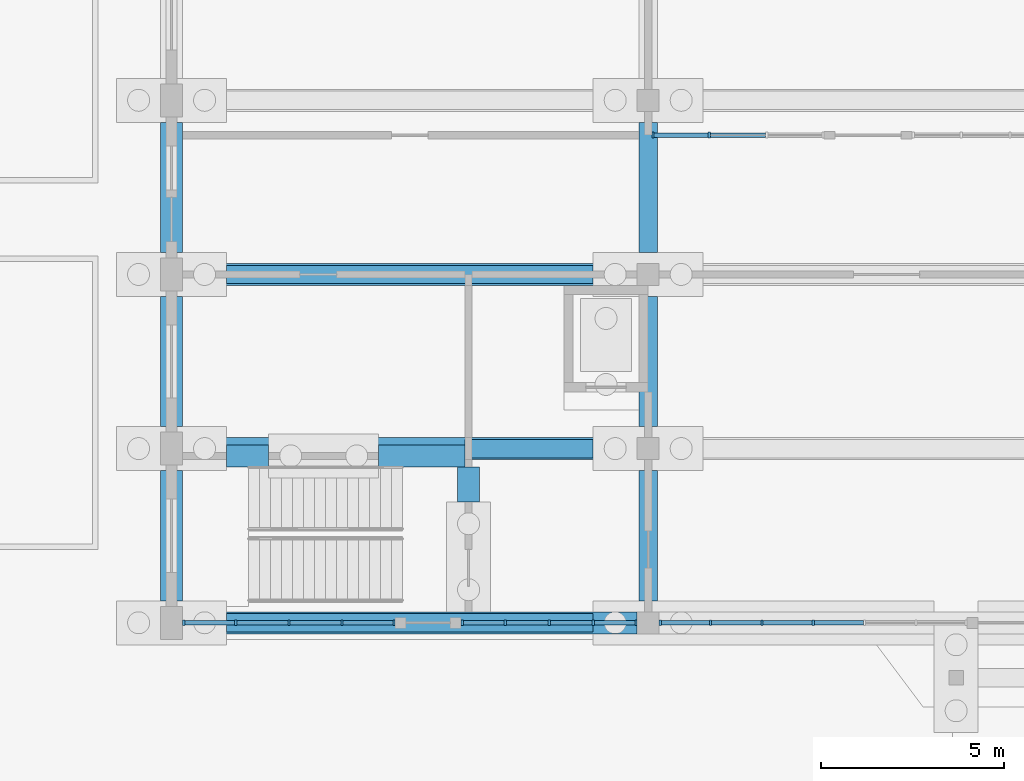
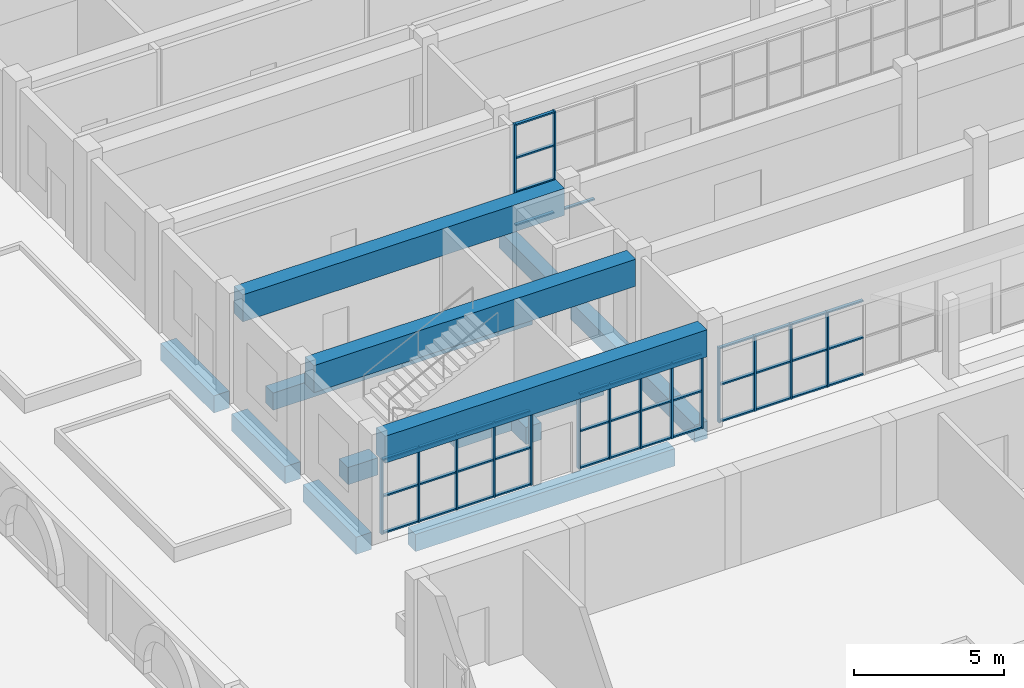
# One storey, part 14 of 161: 57 members, 15 beams, 4 elements without a shape of their own.
"""IFC4 building model written with IfcOpenShell, lengths in metres."""

from ifc_helpers import new_model, si_unit, direction, frame, origin, origin_2d, place, context, subcontext, project, spatial, rectangle, extrude, material, material_profile, profile_set, type_object, element, aggregate, save


model = new_model("IFC4")

# Units and contexts
model_context = context("Model", 3, precision=1e-05, world=origin(), true_north=direction((0.0, 1.0)))
body_context = subcontext(model_context, "Body", "Model", "MODEL_VIEW")
ifc_project = project(units=[si_unit("LENGTHUNIT", "METRE"), si_unit("AREAUNIT", "SQUARE_METRE"), si_unit("VOLUMEUNIT", "CUBIC_METRE"), si_unit("PLANEANGLEUNIT", "RADIAN"), si_unit("MASSUNIT", "GRAM", prefix="KILO")], contexts=[model_context])

# Site, building, storey
site_placement = place(None, origin())
site = spatial("IfcSite", under=ifc_project, at=site_placement, CompositionType="ELEMENT")
building_placement = place(site_placement, origin())
building = spatial("IfcBuilding", under=site, at=building_placement, Name="Elbe Cascade School", CompositionType="ELEMENT")
storey_placement = place(building_placement, origin())
storey = spatial("IfcBuildingStorey", under=building, at=storey_placement, Name="L00", CompositionType="ELEMENT", Elevation=0.0)

# Beams
ifc_material_1 = material(Name="Concrete C30/37", Category="concrete")
ifc_material_profile_1 = material_profile(ifc_material_1, rectangle(XDim=0.5, YDim=0.699951171875, at=origin_2d()), Name="RC 500x700")
ifc_profile_set_1 = profile_set([ifc_material_profile_1], Name="Concrete C30/37")
beam_type_1 = type_object("IfcBeamType", Name="Found ground beam RC 500x700", PredefinedType="BEAM", material=ifc_profile_set_1)
beam_1_placement = place(storey_placement, frame((9.5, 41.0, -0.64990234375), z_axis=(1.0, 0.0, 0.0), x_axis=(0.0, 1.0, 0.0)))
element("IfcBeam", 1, at=beam_1_placement, inside=storey, type_object=beam_type_1, Name="Ground beam 329", PredefinedType="BEAM", context=body_context, shape_type="SweptSolid", body=[
    extrude(rectangle(XDim=0.5, YDim=0.699951171875, at=origin_2d()), origin(), (0.0, 0.0, 1.0), 10.0),
])
beam_2_placement = place(storey_placement, frame((16.0, 45.75, -0.64990234375), z_axis=(1.0, 0.0, 0.0), x_axis=(0.0, 1.0, 0.0)))
element("IfcBeam", 2, at=beam_2_placement, inside=storey, type_object=beam_type_1, Name="Ground beam 331", PredefinedType="BEAM", context=body_context, shape_type="SweptSolid", body=[
    extrude(rectangle(XDim=0.5, YDim=0.699951171875, at=origin_2d()), origin(), (0.0, 0.0, 1.0), 3.5),
])
beam_3_placement = place(storey_placement, frame((9.5, 50.5, -0.64990234375), z_axis=(1.0, 0.0, 0.0), x_axis=(0.0, 1.0, 0.0)))
element("IfcBeam", 3, at=beam_3_placement, inside=storey, type_object=beam_type_1, Name="Ground beam 335", PredefinedType="BEAM", context=body_context, shape_type="SweptSolid", body=[
    extrude(rectangle(XDim=0.5, YDim=0.699951171875, at=origin_2d()), origin(), (0.0, 0.0, 1.0), 10.0),
])
for number, where, z_axis, x_axis, name in (
    (4, (21.0, 41.60009765625, -0.64990234375), (0.0, 1.0, 0.0), (-1.0, 0.0, 0.0), "Ground beam 355"),
    (5, (21.0, 46.35009765625, -0.64990234375), (0.0, 1.0, 0.0), (-1.0, 0.0, 0.0), "Ground beam 356"),
    (6, (21.0, 51.10009765625, -0.64990234375), (0.0, 1.0, 0.0), (-1.0, 0.0, 0.0), "Ground beam 357"),
):
    element("IfcBeam", number, at=place(storey_placement, frame(where, z_axis=z_axis, x_axis=x_axis)), inside=storey, type_object=beam_type_1, Name=name, PredefinedType="BEAM", context=body_context, shape_type="SweptSolid", body=[
        extrude(rectangle(XDim=0.5, YDim=0.699951171875, at=origin_2d()), origin(), (0.0, 0.0, 1.0), 3.5498046875),
    ])
ifc_material_2 = material(Name="Concrete C30/37", Category="concrete")
ifc_material_profile_2 = material_profile(ifc_material_2, rectangle(XDim=0.60009765625, YDim=0.699951171875, at=origin_2d()), Name="RC 600x700")
ifc_profile_set_2 = profile_set([ifc_material_profile_2], Name="Concrete C30/37")
beam_type_2 = type_object("IfcBeamType", Name="Found ground beam RC 600x700", PredefinedType="BEAM", material=ifc_profile_set_2)
for number, where, z_axis, x_axis, name in (
    (7, (8.0, 41.60009765625, -0.64990234375), (0.0, 1.0, 0.0), (-1.0, 0.0, 0.0), "Ground beam 096"),
    (8, (8.0, 46.35009765625, -0.64990234375), (0.0, 1.0, 0.0), (-1.0, 0.0, 0.0), "Ground beam 097"),
    (9, (8.0, 51.10009765625, -0.64990234375), (0.0, 1.0, 0.0), (-1.0, 0.0, 0.0), "Ground beam 098"),
):
    element("IfcBeam", number, at=place(storey_placement, frame(where, z_axis=z_axis, x_axis=x_axis)), inside=storey, type_object=beam_type_2, Name=name, PredefinedType="BEAM", context=body_context, shape_type="SweptSolid", body=[
        extrude(rectangle(XDim=0.60009765625, YDim=0.699951171875, at=origin_2d()), origin(), (0.0, 0.0, 1.0), 3.5498046875),
    ])
beam_4_placement = place(storey_placement, frame((9.5, 45.550048828125, -0.64990234375), z_axis=(1.0, 0.0, 0.0), x_axis=(0.0, 1.0, 0.0)))
element("IfcBeam", 10, at=beam_4_placement, inside=storey, type_object=beam_type_2, Name="Ground beam 138", PredefinedType="BEAM", context=body_context, shape_type="SweptSolid", body=[
    extrude(rectangle(XDim=0.60009765625, YDim=0.699951171875, at=origin_2d()), origin(), (0.0, 0.0, 1.0), 1.14990234375),
])
beam_5_placement = place(storey_placement, frame((13.64990234375, 45.550048828125, -0.64990234375), z_axis=(1.0, 0.0, 0.0), x_axis=(0.0, 1.0, 0.0)))
element("IfcBeam", 11, at=beam_5_placement, inside=storey, type_object=beam_type_2, Name="Ground beam 139", PredefinedType="BEAM", context=body_context, shape_type="SweptSolid", body=[
    extrude(rectangle(XDim=0.60009765625, YDim=0.699951171875, at=origin_2d()), origin(), (0.0, 0.0, 1.0), 2.35009765625),
])
beam_6_placement = place(storey_placement, frame((16.10009765625, 44.300048828125, -0.64990234375), z_axis=(0.0, 1.0, 0.0), x_axis=(-1.0, 0.0, 0.0)))
element("IfcBeam", 12, at=beam_6_placement, inside=storey, type_object=beam_type_2, Name="Ground beam 167", PredefinedType="BEAM", context=body_context, shape_type="SweptSolid", body=[
    extrude(rectangle(XDim=0.60009765625, YDim=0.699951171875, at=origin_2d()), origin(), (0.0, 0.0, 1.0), 0.949951171875),
])
ifc_material_3 = material(Name="Concrete C35/45", Category="concrete")
ifc_material_profile_3 = material_profile(ifc_material_3, rectangle(XDim=0.60009765625, YDim=1.10009765625, at=origin_2d()), Name="RC 600x1100")
ifc_profile_set_3 = profile_set([ifc_material_profile_3], Name="Concrete C35/45")
beam_type_3 = type_object("IfcBeamType", Name="Hall floor beam RC 600x1100", PredefinedType="BEAM", material=ifc_profile_set_3)
for number, where, z_axis, x_axis, name in (
    (13, (8.300048828125, 41.0, 3.60009765625), (1.0, 0.0, 0.0), (0.0, 1.0, 0.0), "Hall floor beam RC 600x1100 B13"),
    (14, (8.300048828125, 45.75, 3.60009765625), (1.0, 0.0, 0.0), (0.0, 1.0, 0.0), "Hall floor beam RC 600x1100 B13"),
    (15, (8.300048828125, 50.5, 3.60009765625), (1.0, 0.0, 0.0), (0.0, 1.0, 0.0), "Hall floor beam RC 600x1100 B13"),
):
    element("IfcBeam", number, at=place(storey_placement, frame(where, z_axis=z_axis, x_axis=x_axis)), inside=storey, type_object=beam_type_3, Name=name, PredefinedType="BEAM", context=body_context, shape_type="SweptSolid", body=[
        extrude(rectangle(XDim=0.60009765625, YDim=1.10009765625, at=origin_2d()), origin(), (0.0, 0.0, 1.0), 12.39990234375),
    ])

# Curtain wall, members
ifc_material_4 = material(Name="Glass - double glazed low-E", Category="glass")
curtain_wall_type = type_object("IfcCurtainWallType", Name="Hall gable curtain wall", PredefinedType="NOTDEFINED", material=ifc_material_4)
curtain_wall_1_placement = place(storey_placement, origin())
curtain_wall_1 = element("IfcCurtainWall", 16, at=curtain_wall_1_placement, inside=storey, type_object=curtain_wall_type, Name="Entrance front curtain wall 1", PredefinedType="NOTDEFINED")
ifc_material_5 = material(Name="Aluminium - bronze anodised", Category="aluminium")
ifc_material_profile_4 = material_profile(ifc_material_5, rectangle(XDim=0.159912109375, YDim=0.06005859375, at=origin_2d()), Name="Alu 60x160")
ifc_profile_set_4 = profile_set([ifc_material_profile_4], Name="Aluminium - bronze anodised")
member_type_1 = type_object("IfcMemberType", Name="Hall gable mullion 60x160", PredefinedType="MULLION", material=ifc_profile_set_4)
member_1_placement = place(storey_placement, frame((8.330078125, 41.0, 0.0), z_axis=(0.0, 0.0, 1.0), x_axis=(0.0, 1.0, 0.0)))
member_1 = element("IfcMember", 17, at=member_1_placement, type_object=member_type_1, Name="CW6 mullion 1", PredefinedType="MULLION", context=body_context, shape_type="SweptSolid", body=[
    extrude(rectangle(XDim=0.159912109375, YDim=0.06005859375, at=origin_2d()), origin(), (0.0, 0.0, 1.0), 3.050048828125),
])
member_2_placement = place(storey_placement, frame((9.75, 41.0, 0.0), z_axis=(0.0, 0.0, 1.0), x_axis=(0.0, 1.0, 0.0)))
member_2 = element("IfcMember", 18, at=member_2_placement, type_object=member_type_1, Name="CW6 mullion 2", PredefinedType="MULLION", context=body_context, shape_type="SweptSolid", body=[
    extrude(rectangle(XDim=0.159912109375, YDim=0.06005859375, at=origin_2d()), origin(), (0.0, 0.0, 1.0), 3.050048828125),
])
member_3_placement = place(storey_placement, frame((11.199951171875, 41.0, 0.0), z_axis=(0.0, 0.0, 1.0), x_axis=(0.0, 1.0, 0.0)))
member_3 = element("IfcMember", 19, at=member_3_placement, type_object=member_type_1, Name="CW6 mullion 3", PredefinedType="MULLION", context=body_context, shape_type="SweptSolid", body=[
    extrude(rectangle(XDim=0.159912109375, YDim=0.06005859375, at=origin_2d()), origin(), (0.0, 0.0, 1.0), 3.050048828125),
])
member_4_placement = place(storey_placement, frame((12.64990234375, 41.0, 0.0), z_axis=(0.0, 0.0, 1.0), x_axis=(0.0, 1.0, 0.0)))
member_4 = element("IfcMember", 20, at=member_4_placement, type_object=member_type_1, Name="CW6 mullion 4", PredefinedType="MULLION", context=body_context, shape_type="SweptSolid", body=[
    extrude(rectangle(XDim=0.159912109375, YDim=0.06005859375, at=origin_2d()), origin(), (0.0, 0.0, 1.0), 3.050048828125),
])
member_5_placement = place(storey_placement, frame((14.070068359375, 41.0, 0.0), z_axis=(0.0, 0.0, 1.0), x_axis=(0.0, 1.0, 0.0)))
member_5 = element("IfcMember", 21, at=member_5_placement, type_object=member_type_1, Name="CW6 mullion 5", PredefinedType="MULLION", context=body_context, shape_type="SweptSolid", body=[
    extrude(rectangle(XDim=0.159912109375, YDim=0.06005859375, at=origin_2d()), origin(), (0.0, 0.0, 1.0), 3.050048828125),
])

curtain_wall_2_placement = place(storey_placement, origin())
curtain_wall_2 = element("IfcCurtainWall", 22, at=curtain_wall_2_placement, inside=storey, type_object=curtain_wall_type, Name="Entrance front curtain wall 2", PredefinedType="NOTDEFINED")
member_6_placement = place(storey_placement, frame((15.929931640625, 41.0, 0.0), z_axis=(0.0, 0.0, 1.0), x_axis=(0.0, 1.0, 0.0)))
member_6 = element("IfcMember", 23, at=member_6_placement, type_object=member_type_1, Name="CW6 mullion 1", PredefinedType="MULLION", context=body_context, shape_type="SweptSolid", body=[
    extrude(rectangle(XDim=0.159912109375, YDim=0.06005859375, at=origin_2d()), origin(), (0.0, 0.0, 1.0), 3.050048828125),
])
member_7_placement = place(storey_placement, frame((17.10009765625, 41.0, 0.0), z_axis=(0.0, 0.0, 1.0), x_axis=(0.0, 1.0, 0.0)))
member_7 = element("IfcMember", 24, at=member_7_placement, type_object=member_type_1, Name="CW6 mullion 2", PredefinedType="MULLION", context=body_context, shape_type="SweptSolid", body=[
    extrude(rectangle(XDim=0.159912109375, YDim=0.06005859375, at=origin_2d()), origin(), (0.0, 0.0, 1.0), 3.050048828125),
])
member_8_placement = place(storey_placement, frame((18.300048828125, 41.0, 0.0), z_axis=(0.0, 0.0, 1.0), x_axis=(0.0, 1.0, 0.0)))
member_8 = element("IfcMember", 25, at=member_8_placement, type_object=member_type_1, Name="CW6 mullion 3", PredefinedType="MULLION", context=body_context, shape_type="SweptSolid", body=[
    extrude(rectangle(XDim=0.159912109375, YDim=0.06005859375, at=origin_2d()), origin(), (0.0, 0.0, 1.0), 3.050048828125),
])
member_9_placement = place(storey_placement, frame((19.5, 41.0, 0.0), z_axis=(0.0, 0.0, 1.0), x_axis=(0.0, 1.0, 0.0)))
member_9 = element("IfcMember", 26, at=member_9_placement, type_object=member_type_1, Name="CW6 mullion 4", PredefinedType="MULLION", context=body_context, shape_type="SweptSolid", body=[
    extrude(rectangle(XDim=0.159912109375, YDim=0.06005859375, at=origin_2d()), origin(), (0.0, 0.0, 1.0), 3.050048828125),
])
member_10_placement = place(storey_placement, frame((20.669921875, 41.0, 0.0), z_axis=(0.0, 0.0, 1.0), x_axis=(0.0, 1.0, 0.0)))
member_10 = element("IfcMember", 27, at=member_10_placement, type_object=member_type_1, Name="CW6 mullion 5", PredefinedType="MULLION", context=body_context, shape_type="SweptSolid", body=[
    extrude(rectangle(XDim=0.159912109375, YDim=0.06005859375, at=origin_2d()), origin(), (0.0, 0.0, 1.0), 3.050048828125),
])

curtain_wall_3_placement = place(storey_placement, origin())
curtain_wall_3 = element("IfcCurtainWall", 28, at=curtain_wall_3_placement, inside=storey, type_object=curtain_wall_type, Name="Entrance front curtain wall 3", PredefinedType="NOTDEFINED")
member_11_placement = place(storey_placement, frame((21.330078125, 41.0, 0.0), z_axis=(0.0, 0.0, 1.0), x_axis=(0.0, 1.0, 0.0)))
member_11 = element("IfcMember", 29, at=member_11_placement, type_object=member_type_1, Name="CW6 mullion 1", PredefinedType="MULLION", context=body_context, shape_type="SweptSolid", body=[
    extrude(rectangle(XDim=0.159912109375, YDim=0.06005859375, at=origin_2d()), origin(), (0.0, 0.0, 1.0), 3.050048828125),
])
member_12_placement = place(storey_placement, frame((22.699951171875, 41.0, 0.0), z_axis=(0.0, 0.0, 1.0), x_axis=(0.0, 1.0, 0.0)))
member_12 = element("IfcMember", 30, at=member_12_placement, type_object=member_type_1, Name="CW6 mullion 2", PredefinedType="MULLION", context=body_context, shape_type="SweptSolid", body=[
    extrude(rectangle(XDim=0.159912109375, YDim=0.06005859375, at=origin_2d()), origin(), (0.0, 0.0, 1.0), 3.050048828125),
])
member_13_placement = place(storey_placement, frame((24.10009765625, 41.0, 0.0), z_axis=(0.0, 0.0, 1.0), x_axis=(0.0, 1.0, 0.0)))
member_13 = element("IfcMember", 31, at=member_13_placement, type_object=member_type_1, Name="CW6 mullion 3", PredefinedType="MULLION", context=body_context, shape_type="SweptSolid", body=[
    extrude(rectangle(XDim=0.159912109375, YDim=0.06005859375, at=origin_2d()), origin(), (0.0, 0.0, 1.0), 3.050048828125),
])
member_14_placement = place(storey_placement, frame((25.5, 41.0, 0.0), z_axis=(0.0, 0.0, 1.0), x_axis=(0.0, 1.0, 0.0)))
member_14 = element("IfcMember", 32, at=member_14_placement, type_object=member_type_1, Name="CW6 mullion 4", PredefinedType="MULLION", context=body_context, shape_type="SweptSolid", body=[
    extrude(rectangle(XDim=0.159912109375, YDim=0.06005859375, at=origin_2d()), origin(), (0.0, 0.0, 1.0), 3.050048828125),
])

curtain_wall_4_placement = place(storey_placement, origin())
curtain_wall_4 = element("IfcCurtainWall", 33, at=curtain_wall_4_placement, inside=storey, type_object=curtain_wall_type, Name="Studio front curtain wall 1", PredefinedType="NOTDEFINED")
member_15_placement = place(storey_placement, frame((21.1298828125, 54.300048828125, 0.0), z_axis=(0.0, 0.0, 1.0), x_axis=(0.0, 1.0, 0.0)))
member_15 = element("IfcMember", 34, at=member_15_placement, type_object=member_type_1, Name="CW6 mullion 1", PredefinedType="MULLION", context=body_context, shape_type="SweptSolid", body=[
    extrude(rectangle(XDim=0.159912109375, YDim=0.06005859375, at=origin_2d()), origin(), (0.0, 0.0, 1.0), 4.14990234375),
])
member_16_placement = place(storey_placement, frame((22.666748046875, 54.300048828125, 0.0), z_axis=(0.0, 0.0, 1.0), x_axis=(0.0, 1.0, 0.0)))
member_16 = element("IfcMember", 35, at=member_16_placement, type_object=member_type_1, Name="CW6 mullion 2", PredefinedType="MULLION", context=body_context, shape_type="SweptSolid", body=[
    extrude(rectangle(XDim=0.159912109375, YDim=0.06005859375, at=origin_2d()), origin(), (0.0, 0.0, 1.0), 4.14990234375),
])

# Member
ifc_material_6 = material(Name="Aluminium - bronze anodised", Category="aluminium")
ifc_material_profile_5 = material_profile(ifc_material_6, rectangle(XDim=0.1201171875, YDim=0.06005859375, at=origin_2d()), Name="Alu 60x120")
ifc_profile_set_5 = profile_set([ifc_material_profile_5], Name="Aluminium - bronze anodised")
member_type_2 = type_object("IfcMemberType", Name="Hall gable transom 60x120", PredefinedType="USERDEFINED", material=ifc_profile_set_5)
member_17_placement = place(storey_placement, frame((8.360107421875, 41.0, 0.030029296875), z_axis=(1.0, 0.0, 0.0), x_axis=(0.0, 1.0, 0.0)))
member_17 = element("IfcMember", 36, at=member_17_placement, type_object=member_type_2, Name="CW6 transom 1.1", ObjectType="TRANSOM", PredefinedType="USERDEFINED", context=body_context, shape_type="SweptSolid", body=[
    extrude(rectangle(XDim=0.1201171875, YDim=0.06005859375, at=origin_2d()), origin(), (0.0, 0.0, 1.0), 1.35986328125),
])

member_18_placement = place(storey_placement, frame((8.360107421875, 41.0, 1.52490234375), z_axis=(1.0, 0.0, 0.0), x_axis=(0.0, 1.0, 0.0)))
member_18 = element("IfcMember", 37, at=member_18_placement, type_object=member_type_2, Name="CW6 transom 1.2", ObjectType="TRANSOM", PredefinedType="USERDEFINED", context=body_context, shape_type="SweptSolid", body=[
    extrude(rectangle(XDim=0.1201171875, YDim=0.06005859375, at=origin_2d()), origin(), (0.0, 0.0, 1.0), 1.35986328125),
])

member_19_placement = place(storey_placement, frame((8.360107421875, 41.0, 3.02001953125), z_axis=(1.0, 0.0, 0.0), x_axis=(0.0, 1.0, 0.0)))
member_19 = element("IfcMember", 38, at=member_19_placement, type_object=member_type_2, Name="CW6 transom 1.3", ObjectType="TRANSOM", PredefinedType="USERDEFINED", context=body_context, shape_type="SweptSolid", body=[
    extrude(rectangle(XDim=0.1201171875, YDim=0.06005859375, at=origin_2d()), origin(), (0.0, 0.0, 1.0), 1.35986328125),
])

member_20_placement = place(storey_placement, frame((9.780029296875, 41.0, 0.030029296875), z_axis=(1.0, 0.0, 0.0), x_axis=(0.0, 1.0, 0.0)))
member_20 = element("IfcMember", 39, at=member_20_placement, type_object=member_type_2, Name="CW6 transom 2.1", ObjectType="TRANSOM", PredefinedType="USERDEFINED", context=body_context, shape_type="SweptSolid", body=[
    extrude(rectangle(XDim=0.1201171875, YDim=0.06005859375, at=origin_2d()), origin(), (0.0, 0.0, 1.0), 1.389892578125),
])

member_21_placement = place(storey_placement, frame((9.780029296875, 41.0, 1.52490234375), z_axis=(1.0, 0.0, 0.0), x_axis=(0.0, 1.0, 0.0)))
member_21 = element("IfcMember", 40, at=member_21_placement, type_object=member_type_2, Name="CW6 transom 2.2", ObjectType="TRANSOM", PredefinedType="USERDEFINED", context=body_context, shape_type="SweptSolid", body=[
    extrude(rectangle(XDim=0.1201171875, YDim=0.06005859375, at=origin_2d()), origin(), (0.0, 0.0, 1.0), 1.389892578125),
])

member_22_placement = place(storey_placement, frame((9.780029296875, 41.0, 3.02001953125), z_axis=(1.0, 0.0, 0.0), x_axis=(0.0, 1.0, 0.0)))
member_22 = element("IfcMember", 41, at=member_22_placement, type_object=member_type_2, Name="CW6 transom 2.3", ObjectType="TRANSOM", PredefinedType="USERDEFINED", context=body_context, shape_type="SweptSolid", body=[
    extrude(rectangle(XDim=0.1201171875, YDim=0.06005859375, at=origin_2d()), origin(), (0.0, 0.0, 1.0), 1.389892578125),
])

member_23_placement = place(storey_placement, frame((11.22998046875, 41.0, 0.030029296875), z_axis=(1.0, 0.0, 0.0), x_axis=(0.0, 1.0, 0.0)))
member_23 = element("IfcMember", 42, at=member_23_placement, type_object=member_type_2, Name="CW6 transom 3.1", ObjectType="TRANSOM", PredefinedType="USERDEFINED", context=body_context, shape_type="SweptSolid", body=[
    extrude(rectangle(XDim=0.1201171875, YDim=0.06005859375, at=origin_2d()), origin(), (0.0, 0.0, 1.0), 1.39013671875),
])

member_24_placement = place(storey_placement, frame((11.22998046875, 41.0, 1.52490234375), z_axis=(1.0, 0.0, 0.0), x_axis=(0.0, 1.0, 0.0)))
member_24 = element("IfcMember", 43, at=member_24_placement, type_object=member_type_2, Name="CW6 transom 3.2", ObjectType="TRANSOM", PredefinedType="USERDEFINED", context=body_context, shape_type="SweptSolid", body=[
    extrude(rectangle(XDim=0.1201171875, YDim=0.06005859375, at=origin_2d()), origin(), (0.0, 0.0, 1.0), 1.39013671875),
])

member_25_placement = place(storey_placement, frame((11.22998046875, 41.0, 3.02001953125), z_axis=(1.0, 0.0, 0.0), x_axis=(0.0, 1.0, 0.0)))
member_25 = element("IfcMember", 44, at=member_25_placement, type_object=member_type_2, Name="CW6 transom 3.3", ObjectType="TRANSOM", PredefinedType="USERDEFINED", context=body_context, shape_type="SweptSolid", body=[
    extrude(rectangle(XDim=0.1201171875, YDim=0.06005859375, at=origin_2d()), origin(), (0.0, 0.0, 1.0), 1.39013671875),
])

member_26_placement = place(storey_placement, frame((12.679931640625, 41.0, 0.030029296875), z_axis=(1.0, 0.0, 0.0), x_axis=(0.0, 1.0, 0.0)))
member_26 = element("IfcMember", 45, at=member_26_placement, type_object=member_type_2, Name="CW6 transom 4.1", ObjectType="TRANSOM", PredefinedType="USERDEFINED", context=body_context, shape_type="SweptSolid", body=[
    extrude(rectangle(XDim=0.1201171875, YDim=0.06005859375, at=origin_2d()), origin(), (0.0, 0.0, 1.0), 1.360107421875),
])

member_27_placement = place(storey_placement, frame((12.679931640625, 41.0, 1.52490234375), z_axis=(1.0, 0.0, 0.0), x_axis=(0.0, 1.0, 0.0)))
member_27 = element("IfcMember", 46, at=member_27_placement, type_object=member_type_2, Name="CW6 transom 4.2", ObjectType="TRANSOM", PredefinedType="USERDEFINED", context=body_context, shape_type="SweptSolid", body=[
    extrude(rectangle(XDim=0.1201171875, YDim=0.06005859375, at=origin_2d()), origin(), (0.0, 0.0, 1.0), 1.360107421875),
])

member_28_placement = place(storey_placement, frame((12.679931640625, 41.0, 3.02001953125), z_axis=(1.0, 0.0, 0.0), x_axis=(0.0, 1.0, 0.0)))
member_28 = element("IfcMember", 47, at=member_28_placement, type_object=member_type_2, Name="CW6 transom 4.3", ObjectType="TRANSOM", PredefinedType="USERDEFINED", context=body_context, shape_type="SweptSolid", body=[
    extrude(rectangle(XDim=0.1201171875, YDim=0.06005859375, at=origin_2d()), origin(), (0.0, 0.0, 1.0), 1.360107421875),
])

aggregate(curtain_wall_1, [member_1, member_2, member_3, member_4, member_5, member_17, member_18, member_19, member_20, member_21, member_22, member_23, member_24, member_25, member_26, member_27, member_28])

member_29_placement = place(storey_placement, frame((15.9599609375, 41.0, 0.030029296875), z_axis=(1.0, 0.0, 0.0), x_axis=(0.0, 1.0, 0.0)))
member_29 = element("IfcMember", 48, at=member_29_placement, type_object=member_type_2, Name="CW6 transom 1.1", ObjectType="TRANSOM", PredefinedType="USERDEFINED", context=body_context, shape_type="SweptSolid", body=[
    extrude(rectangle(XDim=0.1201171875, YDim=0.06005859375, at=origin_2d()), origin(), (0.0, 0.0, 1.0), 1.110107421875),
])

member_30_placement = place(storey_placement, frame((15.9599609375, 41.0, 1.52490234375), z_axis=(1.0, 0.0, 0.0), x_axis=(0.0, 1.0, 0.0)))
member_30 = element("IfcMember", 49, at=member_30_placement, type_object=member_type_2, Name="CW6 transom 1.2", ObjectType="TRANSOM", PredefinedType="USERDEFINED", context=body_context, shape_type="SweptSolid", body=[
    extrude(rectangle(XDim=0.1201171875, YDim=0.06005859375, at=origin_2d()), origin(), (0.0, 0.0, 1.0), 1.110107421875),
])

member_31_placement = place(storey_placement, frame((15.9599609375, 41.0, 3.02001953125), z_axis=(1.0, 0.0, 0.0), x_axis=(0.0, 1.0, 0.0)))
member_31 = element("IfcMember", 50, at=member_31_placement, type_object=member_type_2, Name="CW6 transom 1.3", ObjectType="TRANSOM", PredefinedType="USERDEFINED", context=body_context, shape_type="SweptSolid", body=[
    extrude(rectangle(XDim=0.1201171875, YDim=0.06005859375, at=origin_2d()), origin(), (0.0, 0.0, 1.0), 1.110107421875),
])

member_32_placement = place(storey_placement, frame((17.1298828125, 41.0, 0.030029296875), z_axis=(1.0, 0.0, 0.0), x_axis=(0.0, 1.0, 0.0)))
member_32 = element("IfcMember", 51, at=member_32_placement, type_object=member_type_2, Name="CW6 transom 2.1", ObjectType="TRANSOM", PredefinedType="USERDEFINED", context=body_context, shape_type="SweptSolid", body=[
    extrude(rectangle(XDim=0.1201171875, YDim=0.06005859375, at=origin_2d()), origin(), (0.0, 0.0, 1.0), 1.14013671875),
])

member_33_placement = place(storey_placement, frame((17.1298828125, 41.0, 1.52490234375), z_axis=(1.0, 0.0, 0.0), x_axis=(0.0, 1.0, 0.0)))
member_33 = element("IfcMember", 52, at=member_33_placement, type_object=member_type_2, Name="CW6 transom 2.2", ObjectType="TRANSOM", PredefinedType="USERDEFINED", context=body_context, shape_type="SweptSolid", body=[
    extrude(rectangle(XDim=0.1201171875, YDim=0.06005859375, at=origin_2d()), origin(), (0.0, 0.0, 1.0), 1.14013671875),
])

member_34_placement = place(storey_placement, frame((17.1298828125, 41.0, 3.02001953125), z_axis=(1.0, 0.0, 0.0), x_axis=(0.0, 1.0, 0.0)))
member_34 = element("IfcMember", 53, at=member_34_placement, type_object=member_type_2, Name="CW6 transom 2.3", ObjectType="TRANSOM", PredefinedType="USERDEFINED", context=body_context, shape_type="SweptSolid", body=[
    extrude(rectangle(XDim=0.1201171875, YDim=0.06005859375, at=origin_2d()), origin(), (0.0, 0.0, 1.0), 1.14013671875),
])

member_35_placement = place(storey_placement, frame((18.330078125, 41.0, 0.030029296875), z_axis=(1.0, 0.0, 0.0), x_axis=(0.0, 1.0, 0.0)))
member_35 = element("IfcMember", 54, at=member_35_placement, type_object=member_type_2, Name="CW6 transom 3.1", ObjectType="TRANSOM", PredefinedType="USERDEFINED", context=body_context, shape_type="SweptSolid", body=[
    extrude(rectangle(XDim=0.1201171875, YDim=0.06005859375, at=origin_2d()), origin(), (0.0, 0.0, 1.0), 1.139892578125),
])

member_36_placement = place(storey_placement, frame((18.330078125, 41.0, 1.52490234375), z_axis=(1.0, 0.0, 0.0), x_axis=(0.0, 1.0, 0.0)))
member_36 = element("IfcMember", 55, at=member_36_placement, type_object=member_type_2, Name="CW6 transom 3.2", ObjectType="TRANSOM", PredefinedType="USERDEFINED", context=body_context, shape_type="SweptSolid", body=[
    extrude(rectangle(XDim=0.1201171875, YDim=0.06005859375, at=origin_2d()), origin(), (0.0, 0.0, 1.0), 1.139892578125),
])

member_37_placement = place(storey_placement, frame((18.330078125, 41.0, 3.02001953125), z_axis=(1.0, 0.0, 0.0), x_axis=(0.0, 1.0, 0.0)))
member_37 = element("IfcMember", 56, at=member_37_placement, type_object=member_type_2, Name="CW6 transom 3.3", ObjectType="TRANSOM", PredefinedType="USERDEFINED", context=body_context, shape_type="SweptSolid", body=[
    extrude(rectangle(XDim=0.1201171875, YDim=0.06005859375, at=origin_2d()), origin(), (0.0, 0.0, 1.0), 1.139892578125),
])

member_38_placement = place(storey_placement, frame((19.530029296875, 41.0, 0.030029296875), z_axis=(1.0, 0.0, 0.0), x_axis=(0.0, 1.0, 0.0)))
member_38 = element("IfcMember", 57, at=member_38_placement, type_object=member_type_2, Name="CW6 transom 4.1", ObjectType="TRANSOM", PredefinedType="USERDEFINED", context=body_context, shape_type="SweptSolid", body=[
    extrude(rectangle(XDim=0.1201171875, YDim=0.06005859375, at=origin_2d()), origin(), (0.0, 0.0, 1.0), 1.10986328125),
])

member_39_placement = place(storey_placement, frame((19.530029296875, 41.0, 1.52490234375), z_axis=(1.0, 0.0, 0.0), x_axis=(0.0, 1.0, 0.0)))
member_39 = element("IfcMember", 58, at=member_39_placement, type_object=member_type_2, Name="CW6 transom 4.2", ObjectType="TRANSOM", PredefinedType="USERDEFINED", context=body_context, shape_type="SweptSolid", body=[
    extrude(rectangle(XDim=0.1201171875, YDim=0.06005859375, at=origin_2d()), origin(), (0.0, 0.0, 1.0), 1.10986328125),
])

member_40_placement = place(storey_placement, frame((19.530029296875, 41.0, 3.02001953125), z_axis=(1.0, 0.0, 0.0), x_axis=(0.0, 1.0, 0.0)))
member_40 = element("IfcMember", 59, at=member_40_placement, type_object=member_type_2, Name="CW6 transom 4.3", ObjectType="TRANSOM", PredefinedType="USERDEFINED", context=body_context, shape_type="SweptSolid", body=[
    extrude(rectangle(XDim=0.1201171875, YDim=0.06005859375, at=origin_2d()), origin(), (0.0, 0.0, 1.0), 1.10986328125),
])

aggregate(curtain_wall_2, [member_6, member_7, member_8, member_9, member_10, member_29, member_30, member_31, member_32, member_33, member_34, member_35, member_36, member_37, member_38, member_39, member_40])

member_41_placement = place(storey_placement, frame((21.360107421875, 41.0, 0.030029296875), z_axis=(1.0, 0.0, 0.0), x_axis=(0.0, 1.0, 0.0)))
member_41 = element("IfcMember", 60, at=member_41_placement, type_object=member_type_2, Name="CW6 transom 1.1", ObjectType="TRANSOM", PredefinedType="USERDEFINED", context=body_context, shape_type="SweptSolid", body=[
    extrude(rectangle(XDim=0.1201171875, YDim=0.06005859375, at=origin_2d()), origin(), (0.0, 0.0, 1.0), 1.309814453125),
])

member_42_placement = place(storey_placement, frame((21.360107421875, 41.0, 1.52490234375), z_axis=(1.0, 0.0, 0.0), x_axis=(0.0, 1.0, 0.0)))
member_42 = element("IfcMember", 61, at=member_42_placement, type_object=member_type_2, Name="CW6 transom 1.2", ObjectType="TRANSOM", PredefinedType="USERDEFINED", context=body_context, shape_type="SweptSolid", body=[
    extrude(rectangle(XDim=0.1201171875, YDim=0.06005859375, at=origin_2d()), origin(), (0.0, 0.0, 1.0), 1.309814453125),
])

member_43_placement = place(storey_placement, frame((21.360107421875, 41.0, 3.02001953125), z_axis=(1.0, 0.0, 0.0), x_axis=(0.0, 1.0, 0.0)))
member_43 = element("IfcMember", 62, at=member_43_placement, type_object=member_type_2, Name="CW6 transom 1.3", ObjectType="TRANSOM", PredefinedType="USERDEFINED", context=body_context, shape_type="SweptSolid", body=[
    extrude(rectangle(XDim=0.1201171875, YDim=0.06005859375, at=origin_2d()), origin(), (0.0, 0.0, 1.0), 1.309814453125),
])

member_44_placement = place(storey_placement, frame((22.72998046875, 41.0, 0.030029296875), z_axis=(1.0, 0.0, 0.0), x_axis=(0.0, 1.0, 0.0)))
member_44 = element("IfcMember", 63, at=member_44_placement, type_object=member_type_2, Name="CW6 transom 2.1", ObjectType="TRANSOM", PredefinedType="USERDEFINED", context=body_context, shape_type="SweptSolid", body=[
    extrude(rectangle(XDim=0.1201171875, YDim=0.06005859375, at=origin_2d()), origin(), (0.0, 0.0, 1.0), 1.340087890625),
])

member_45_placement = place(storey_placement, frame((22.72998046875, 41.0, 1.52490234375), z_axis=(1.0, 0.0, 0.0), x_axis=(0.0, 1.0, 0.0)))
member_45 = element("IfcMember", 64, at=member_45_placement, type_object=member_type_2, Name="CW6 transom 2.2", ObjectType="TRANSOM", PredefinedType="USERDEFINED", context=body_context, shape_type="SweptSolid", body=[
    extrude(rectangle(XDim=0.1201171875, YDim=0.06005859375, at=origin_2d()), origin(), (0.0, 0.0, 1.0), 1.340087890625),
])

member_46_placement = place(storey_placement, frame((22.72998046875, 41.0, 3.02001953125), z_axis=(1.0, 0.0, 0.0), x_axis=(0.0, 1.0, 0.0)))
member_46 = element("IfcMember", 65, at=member_46_placement, type_object=member_type_2, Name="CW6 transom 2.3", ObjectType="TRANSOM", PredefinedType="USERDEFINED", context=body_context, shape_type="SweptSolid", body=[
    extrude(rectangle(XDim=0.1201171875, YDim=0.06005859375, at=origin_2d()), origin(), (0.0, 0.0, 1.0), 1.340087890625),
])

member_47_placement = place(storey_placement, frame((24.1298828125, 41.0, 0.030029296875), z_axis=(1.0, 0.0, 0.0), x_axis=(0.0, 1.0, 0.0)))
member_47 = element("IfcMember", 66, at=member_47_placement, type_object=member_type_2, Name="CW6 transom 3.1", ObjectType="TRANSOM", PredefinedType="USERDEFINED", context=body_context, shape_type="SweptSolid", body=[
    extrude(rectangle(XDim=0.1201171875, YDim=0.06005859375, at=origin_2d()), origin(), (0.0, 0.0, 1.0), 1.340087890625),
])

member_48_placement = place(storey_placement, frame((24.1298828125, 41.0, 1.52490234375), z_axis=(1.0, 0.0, 0.0), x_axis=(0.0, 1.0, 0.0)))
member_48 = element("IfcMember", 67, at=member_48_placement, type_object=member_type_2, Name="CW6 transom 3.2", ObjectType="TRANSOM", PredefinedType="USERDEFINED", context=body_context, shape_type="SweptSolid", body=[
    extrude(rectangle(XDim=0.1201171875, YDim=0.06005859375, at=origin_2d()), origin(), (0.0, 0.0, 1.0), 1.340087890625),
])

member_49_placement = place(storey_placement, frame((24.1298828125, 41.0, 3.02001953125), z_axis=(1.0, 0.0, 0.0), x_axis=(0.0, 1.0, 0.0)))
member_49 = element("IfcMember", 68, at=member_49_placement, type_object=member_type_2, Name="CW6 transom 3.3", ObjectType="TRANSOM", PredefinedType="USERDEFINED", context=body_context, shape_type="SweptSolid", body=[
    extrude(rectangle(XDim=0.1201171875, YDim=0.06005859375, at=origin_2d()), origin(), (0.0, 0.0, 1.0), 1.340087890625),
])

member_50_placement = place(storey_placement, frame((25.530029296875, 41.0, 0.030029296875), z_axis=(1.0, 0.0, 0.0), x_axis=(0.0, 1.0, 0.0)))
member_50 = element("IfcMember", 69, at=member_50_placement, type_object=member_type_2, Name="CW6 transom 4.1", ObjectType="TRANSOM", PredefinedType="USERDEFINED", context=body_context, shape_type="SweptSolid", body=[
    extrude(rectangle(XDim=0.1201171875, YDim=0.06005859375, at=origin_2d()), origin(), (0.0, 0.0, 1.0), 1.340087890625),
])

member_51_placement = place(storey_placement, frame((25.530029296875, 41.0, 1.52490234375), z_axis=(1.0, 0.0, 0.0), x_axis=(0.0, 1.0, 0.0)))
member_51 = element("IfcMember", 70, at=member_51_placement, type_object=member_type_2, Name="CW6 transom 4.2", ObjectType="TRANSOM", PredefinedType="USERDEFINED", context=body_context, shape_type="SweptSolid", body=[
    extrude(rectangle(XDim=0.1201171875, YDim=0.06005859375, at=origin_2d()), origin(), (0.0, 0.0, 1.0), 1.340087890625),
])

member_52_placement = place(storey_placement, frame((25.530029296875, 41.0, 3.02001953125), z_axis=(1.0, 0.0, 0.0), x_axis=(0.0, 1.0, 0.0)))
member_52 = element("IfcMember", 71, at=member_52_placement, type_object=member_type_2, Name="CW6 transom 4.3", ObjectType="TRANSOM", PredefinedType="USERDEFINED", context=body_context, shape_type="SweptSolid", body=[
    extrude(rectangle(XDim=0.1201171875, YDim=0.06005859375, at=origin_2d()), origin(), (0.0, 0.0, 1.0), 1.340087890625),
])

aggregate(curtain_wall_3, [member_11, member_12, member_13, member_14, member_41, member_42, member_43, member_44, member_45, member_46, member_47, member_48, member_49, member_50, member_51, member_52])

member_53_placement = place(storey_placement, frame((21.159912109375, 54.300048828125, 0.030029296875), z_axis=(1.0, 0.0, 0.0), x_axis=(0.0, 1.0, 0.0)))
member_53 = element("IfcMember", 72, at=member_53_placement, type_object=member_type_2, Name="CW6 transom 1.1", ObjectType="TRANSOM", PredefinedType="USERDEFINED", context=body_context, shape_type="SweptSolid", body=[
    extrude(rectangle(XDim=0.1201171875, YDim=0.06005859375, at=origin_2d()), origin(), (0.0, 0.0, 1.0), 1.476806640625),
])

member_54_placement = place(storey_placement, frame((21.159912109375, 54.300048828125, 1.38330078125), z_axis=(1.0, 0.0, 0.0), x_axis=(0.0, 1.0, 0.0)))
member_54 = element("IfcMember", 73, at=member_54_placement, type_object=member_type_2, Name="CW6 transom 1.2", ObjectType="TRANSOM", PredefinedType="USERDEFINED", context=body_context, shape_type="SweptSolid", body=[
    extrude(rectangle(XDim=0.1201171875, YDim=0.06005859375, at=origin_2d()), origin(), (0.0, 0.0, 1.0), 1.476806640625),
])

member_55_placement = place(storey_placement, frame((21.159912109375, 54.300048828125, 2.7666015625), z_axis=(1.0, 0.0, 0.0), x_axis=(0.0, 1.0, 0.0)))
member_55 = element("IfcMember", 74, at=member_55_placement, type_object=member_type_2, Name="CW6 transom 1.3", ObjectType="TRANSOM", PredefinedType="USERDEFINED", context=body_context, shape_type="SweptSolid", body=[
    extrude(rectangle(XDim=0.1201171875, YDim=0.06005859375, at=origin_2d()), origin(), (0.0, 0.0, 1.0), 1.476806640625),
])

member_56_placement = place(storey_placement, frame((21.159912109375, 54.300048828125, 4.1201171875), z_axis=(1.0, 0.0, 0.0), x_axis=(0.0, 1.0, 0.0)))
member_56 = element("IfcMember", 75, at=member_56_placement, type_object=member_type_2, Name="CW6 transom 1.4", ObjectType="TRANSOM", PredefinedType="USERDEFINED", context=body_context, shape_type="SweptSolid", body=[
    extrude(rectangle(XDim=0.1201171875, YDim=0.06005859375, at=origin_2d()), origin(), (0.0, 0.0, 1.0), 1.476806640625),
])

member_57_placement = place(storey_placement, frame((22.69677734375, 54.300048828125, 0.030029296875), z_axis=(1.0, 0.0, 0.0), x_axis=(0.0, 1.0, 0.0)))
member_57 = element("IfcMember", 76, at=member_57_placement, type_object=member_type_2, Name="CW6 transom 2.1", ObjectType="TRANSOM", PredefinedType="USERDEFINED", context=body_context, shape_type="SweptSolid", body=[
    extrude(rectangle(XDim=0.1201171875, YDim=0.06005859375, at=origin_2d()), origin(), (0.0, 0.0, 1.0), 1.506591796875),
])

aggregate(curtain_wall_4, [member_15, member_16, member_53, member_54, member_55, member_56, member_57])

save(model, "model.ifc")
